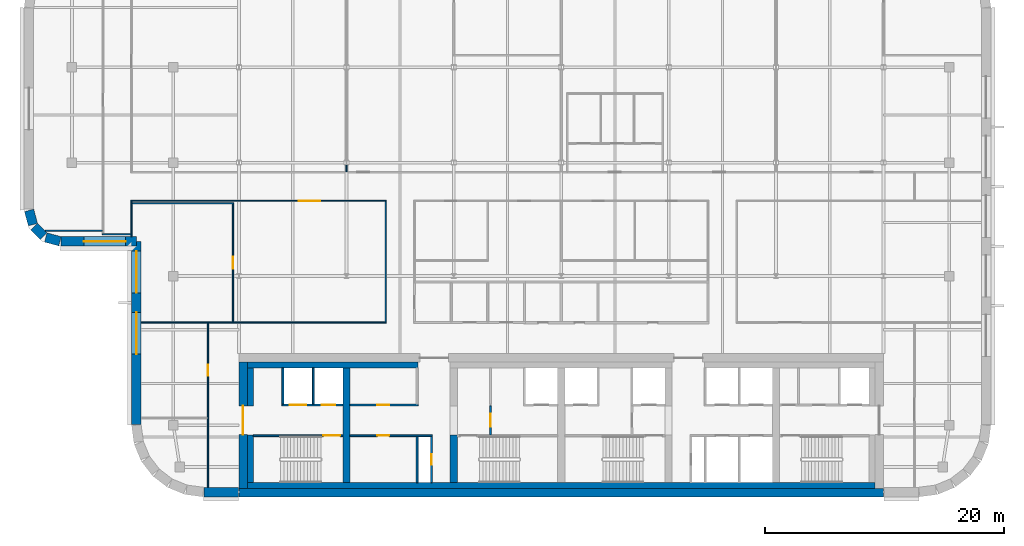
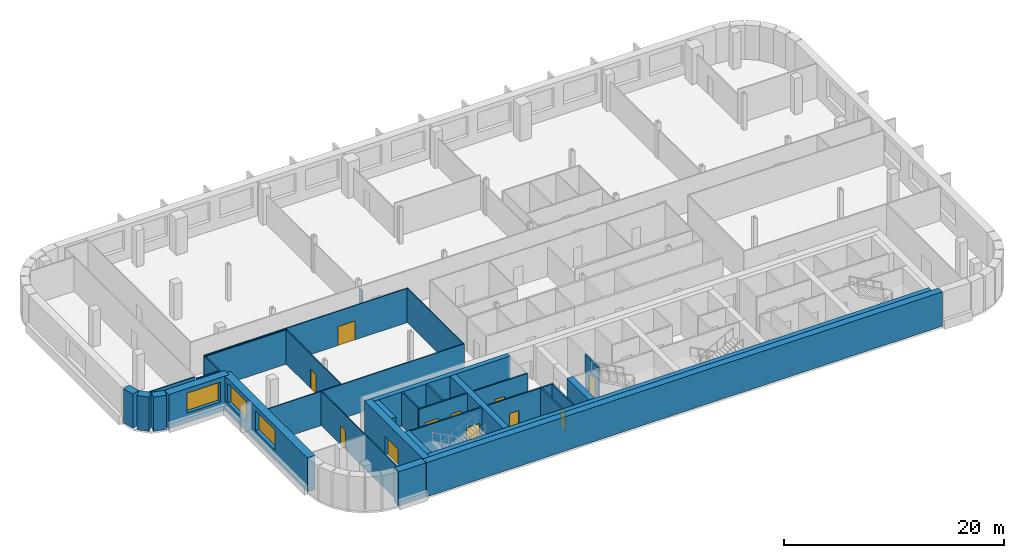
# One storey, part 7 of 16: 33 walls, 11 doors, 3 windows, 14 openings.
"""IFC4 building model written with IfcOpenShell, lengths in metres."""

from ifc_helpers import new_model, si_unit, direction, frame, frame_2d, origin, place, context, subcontext, project, spatial, rectangle, extrude, material, layer, layer_set, type_object, element, fill, save


model = new_model("IFC4")

# Units and contexts
model_context = context("Model", 3, precision=1e-05, world=origin(), true_north=direction((0.0, 1.0)))
body_context = subcontext(model_context, "Body", "Model", "MODEL_VIEW")
ifc_project = project(units=[si_unit("LENGTHUNIT", "METRE"), si_unit("AREAUNIT", "SQUARE_METRE"), si_unit("VOLUMEUNIT", "CUBIC_METRE"), si_unit("PLANEANGLEUNIT", "RADIAN"), si_unit("MASSUNIT", "GRAM", prefix="KILO")], contexts=[model_context])

# Site, building, storey
site_placement = place(None, origin())
site = spatial("IfcSite", under=ifc_project, at=site_placement, CompositionType="ELEMENT")
building_placement = place(site_placement, origin())
building = spatial("IfcBuilding", under=site, at=building_placement, Name="Zellij Exchange Tower", CompositionType="ELEMENT")
storey_placement = place(building_placement, frame((0.0, 0.0, 248.5)))
storey = spatial("IfcBuildingStorey", under=building, at=storey_placement, Name="L58", CompositionType="ELEMENT", Elevation=248.5)

# Walls
ifc_material_1 = material(Name="Concrete C50/60", Category="concrete")
ifc_layer_1 = layer(ifc_material_1, 0.60009765625)
ifc_layer_set_1 = layer_set([ifc_layer_1], Name="Concrete C50/60")
wall_type_1 = type_object("IfcWallType", Name="CORE-CW 600 C50/60", PredefinedType="SHEAR", material=ifc_layer_set_1)
wall_1_placement = place(storey_placement, frame((-18.0, -12.800048828125, 0.0), z_axis=(0.0, 0.0, 1.0), x_axis=(0.0, 1.0, 0.0)))
element("IfcWall", 1, at=wall_1_placement, inside=storey, type_object=wall_type_1, Name="Core cross wall x -18 L58", PredefinedType="SHEAR", context=body_context, shape_type="SweptSolid", body=[
    extrude(rectangle(XDim=9.60009765625, YDim=0.60009765625, at=frame_2d((4.800048828125, 0.0))), origin(), (0.0, 0.0, 1.0), 3.800048828125),
])
wall_2_placement = place(storey_placement, frame((-9.0, -12.800048828125, 0.0), z_axis=(0.0, 0.0, 1.0), x_axis=(0.0, 1.0, 0.0)))
element("IfcWall", 2, at=wall_2_placement, inside=storey, type_object=wall_type_1, Name="Core cross wall pier x -9 a L58", PredefinedType="SHEAR", context=body_context, shape_type="SweptSolid", body=[
    extrude(rectangle(XDim=4.0, YDim=0.60009765625, at=frame_2d((2.0, 0.0))), origin(), (0.0, 0.0, 1.0), 3.800048828125),
])
ifc_material_2 = material(Name="Concrete C30/37", Category="concrete")
ifc_layer_2 = layer(ifc_material_2, 0.5)
ifc_layer_set_2 = layer_set([ifc_layer_2], Name="Concrete C30/37")
wall_type_2 = type_object("IfcWallType", Name="CORE-LW 500 C30/37", PredefinedType="SHEAR", material=ifc_layer_set_2)
wall_3_placement = place(storey_placement, frame((-26.300048828125, -2.949951171875, 0.0), z_axis=(0.0, 0.0, 1.0), x_axis=(1.0, 0.0, 0.0)))
element("IfcWall", 3, at=wall_3_placement, inside=storey, type_object=wall_type_2, Name="Core wall lining front.0 L58", PredefinedType="SHEAR", context=body_context, shape_type="SweptSolid", body=[
    extrude(rectangle(XDim=14.300048828125, YDim=0.5, at=frame_2d((7.14990234375, 0.0))), origin(), (0.0, 0.0, 1.0), 3.800048828125),
])
wall_4_placement = place(storey_placement, frame((-26.300048828125, -13.050048828125, 0.0), z_axis=(0.0, 0.0, 1.0), x_axis=(1.0, 0.0, 0.0)))
element("IfcWall", 4, at=wall_4_placement, inside=storey, type_object=wall_type_2, Name="Core wall lining rear.0 L58", PredefinedType="SHEAR", context=body_context, shape_type="SweptSolid", body=[
    extrude(rectangle(XDim=52.60009765625, YDim=0.5, at=frame_2d((26.300048828125, 0.0))), origin(), (0.0, 0.0, 1.0), 3.800048828125),
])
wall_5_placement = place(storey_placement, frame((-26.050048828125, -12.800048828125, 0.0), z_axis=(0.0, 0.0, 1.0), x_axis=(0.0, 1.0, 0.0)))
element("IfcWall", 5, at=wall_5_placement, inside=storey, type_object=wall_type_2, Name="Core wall lining end w.0 L58", PredefinedType="SHEAR", context=body_context, shape_type="SweptSolid", body=[
    extrude(rectangle(XDim=4.0, YDim=0.5, at=frame_2d((2.0, 0.0))), origin(), (0.0, 0.0, 1.0), 3.800048828125),
])
wall_6_placement = place(storey_placement, frame((-26.050048828125, -6.375, 0.0), z_axis=(0.0, 0.0, 1.0), x_axis=(0.0, 1.0, 0.0)))
element("IfcWall", 6, at=wall_6_placement, inside=storey, type_object=wall_type_2, Name="Core wall lining end w.1 L58", PredefinedType="SHEAR", context=body_context, shape_type="SweptSolid", body=[
    extrude(rectangle(XDim=3.175048828125, YDim=0.5, at=frame_2d((1.58740234375, 0.0))), origin(), (0.0, 0.0, 1.0), 3.800048828125),
])

# Wall, opening, door
ifc_material_3 = material(Name="Gypsum shaft wall system")
ifc_layer_3 = layer(ifc_material_3, 0.14990234375)
ifc_layer_set_3 = layer_set([ifc_layer_3], Name="Gypsum shaft wall system")
wall_type_3 = type_object("IfcWallType", Name="CORE-PW 150 Firefighting lobby wall", PredefinedType="PARTITIONING", material=ifc_layer_set_3)
wall_7_placement = place(storey_placement, frame((-5.925048828125, -8.800048828125, 0.0), z_axis=(0.0, 0.0, 1.0), x_axis=(0.0, 1.0, 0.0)))
wall_7 = element("IfcWall", 7, at=wall_7_placement, inside=storey, type_object=wall_type_3, Name="Firefighting lobby wall L58", PredefinedType="PARTITIONING", context=body_context, shape_type="SweptSolid", body=[
    extrude(rectangle(XDim=2.425048828125, YDim=0.14990234375, at=frame_2d((1.21240234375, 0.0))), origin(), (0.0, 0.0, 1.0), 3.800048828125),
])
opening_1_placement = place(wall_7_placement, frame((0.662109375, 0.0, 0.0)))
opening_1 = element("IfcOpeningElement", 8, at=opening_1_placement, cuts=wall_7, Name="Opening CA-30.10", PredefinedType="OPENING", context=body_context, shape_type="SweptSolid", body=[
    extrude(rectangle(XDim=1.10009765625, YDim=2.10009765625, at=frame_2d((0.550048828125, 1.050048828125))), frame((0.0, 0.0869140625, 0.0), z_axis=(0.0, -1.0, 0.0), x_axis=(1.0, 0.0, 0.0)), (0.0, 0.0, 1.0), 0.173828125),
])
ifc_material_4 = material(Name="Hollow metal fire door")
door_type_1 = type_object("IfcDoorType", Name="CORE-D F Firefighting lobby door 1100x2100 1 HR", OperationType="NOTDEFINED", PredefinedType="DOOR", material=ifc_material_4)
door_1_placement = place(opening_1_placement, origin())
door_1 = element("IfcDoor", 9, at=door_1_placement, inside=storey, type_object=door_type_1, Name="Firefighting lobby door CA-30.10", OperationType="SINGLE_SWING_LEFT", OverallHeight=2.10009765625, OverallWidth=1.10009765625, PredefinedType="DOOR", context=body_context, shape_type="SweptSolid", body=[
    extrude(rectangle(XDim=1.10009765625, YDim=2.10009765625, at=frame_2d((0.550048828125, 1.050048828125))), frame((0.0, 0.02490234375, 0.0), z_axis=(0.0, -1.0, 0.0), x_axis=(1.0, 0.0, 0.0)), (0.0, 0.0, 1.0), 0.050048828125),
])
fill(opening_1, door_1)

ifc_material_5 = material(Name="Gypsum board partition")
ifc_layer_4 = layer(ifc_material_5, 0.14990234375)
ifc_layer_set_4 = layer_set([ifc_layer_4], Name="Gypsum board partition")
wall_type_4 = type_object("IfcWallType", Name="CORE-PW 150 Lift lobby wall", PredefinedType="PARTITIONING", material=ifc_layer_set_4)
wall_8_placement = place(storey_placement, frame((-10.875, -12.800048828125, 0.0), z_axis=(0.0, 0.0, 1.0), x_axis=(0.0, 1.0, 0.0)))
wall_8 = element("IfcWall", 10, at=wall_8_placement, inside=storey, type_object=wall_type_4, Name="Lift lobby wall L58", PredefinedType="PARTITIONING", context=body_context, shape_type="SweptSolid", body=[
    extrude(rectangle(XDim=3.85009765625, YDim=0.14990234375, at=frame_2d((1.925048828125, 0.0))), origin(), (0.0, 0.0, 1.0), 3.800048828125),
])
opening_2_placement = place(wall_8_placement, frame((1.47509765625, 0.0, 0.0)))
opening_2 = element("IfcOpeningElement", 11, at=opening_2_placement, cuts=wall_8, Name="Opening CA-30.07", PredefinedType="OPENING", context=body_context, shape_type="SweptSolid", body=[
    extrude(rectangle(XDim=0.89990234375, YDim=2.10009765625, at=frame_2d((0.449951171875, 1.050048828125))), frame((0.0, 0.0869140625, 0.0), z_axis=(0.0, -1.0, 0.0), x_axis=(1.0, 0.0, 0.0)), (0.0, 0.0, 1.0), 0.173828125),
])
door_type_2 = type_object("IfcDoorType", Name="CORE-D RD Riser door 900x2100 1.5 HR", OperationType="NOTDEFINED", PredefinedType="DOOR", material=ifc_material_4)
door_2_placement = place(opening_2_placement, origin())
door_2 = element("IfcDoor", 12, at=door_2_placement, inside=storey, type_object=door_type_2, Name="Riser door CA-30.07", OperationType="SINGLE_SWING_RIGHT", OverallHeight=2.10009765625, OverallWidth=0.89990234375, PredefinedType="DOOR", context=body_context, shape_type="SweptSolid", body=[
    extrude(rectangle(XDim=0.89990234375, YDim=2.10009765625, at=frame_2d((0.449951171875, 1.050048828125))), frame((0.0, 0.02490234375, 0.0), z_axis=(0.0, -1.0, 0.0), x_axis=(1.0, 0.0, 0.0)), (0.0, 0.0, 1.0), 0.050048828125),
])
fill(opening_2, door_2)

# Wall
wall_9_placement = place(storey_placement, frame((-12.074951171875, -12.800048828125, 0.0), z_axis=(0.0, 0.0, 1.0), x_axis=(0.0, 1.0, 0.0)))
element("IfcWall", 13, at=wall_9_placement, inside=storey, type_object=wall_type_4, Name="Lift lobby wall L58", PredefinedType="PARTITIONING", context=body_context, shape_type="SweptSolid", body=[
    extrude(rectangle(XDim=3.85009765625, YDim=0.14990234375, at=frame_2d((1.925048828125, 0.0))), origin(), (0.0, 0.0, 1.0), 3.800048828125),
])

# Wall, opening, door
wall_10_placement = place(storey_placement, frame((-17.699951171875, -6.300048828125, 0.0), z_axis=(0.0, 0.0, 1.0), x_axis=(1.0, 0.0, 0.0)))
wall_10 = element("IfcWall", 14, at=wall_10_placement, inside=storey, type_object=wall_type_4, Name="Lift lobby wall L58", PredefinedType="PARTITIONING", context=body_context, shape_type="SweptSolid", body=[
    extrude(rectangle(XDim=5.699951171875, YDim=0.14990234375, at=frame_2d((2.85009765625, 0.0))), origin(), (0.0, 0.0, 1.0), 3.800048828125),
])
opening_3_placement = place(wall_10_placement, frame((2.27490234375, 0.0, 0.0)))
opening_3 = element("IfcOpeningElement", 15, at=opening_3_placement, cuts=wall_10, Name="Opening CA-30.06", PredefinedType="OPENING", context=body_context, shape_type="SweptSolid", body=[
    extrude(rectangle(XDim=1.0, YDim=2.10009765625, at=frame_2d((0.5, 1.050048828125))), frame((0.0, 0.0869140625, 0.0), z_axis=(0.0, -1.0, 0.0), x_axis=(1.0, 0.0, 0.0)), (0.0, 0.0, 1.0), 0.173828125),
])
door_type_3 = type_object("IfcDoorType", Name="CORE-D CD Core room door 1000x2100 1 HR", OperationType="NOTDEFINED", PredefinedType="DOOR", material=ifc_material_4)
door_3_placement = place(opening_3_placement, origin())
door_3 = element("IfcDoor", 16, at=door_3_placement, inside=storey, type_object=door_type_3, Name="Core room door CA-30.06", OperationType="SINGLE_SWING_LEFT", OverallHeight=2.10009765625, OverallWidth=1.0, PredefinedType="DOOR", context=body_context, shape_type="SweptSolid", body=[
    extrude(rectangle(XDim=1.0, YDim=2.10009765625, at=frame_2d((0.5, 1.050048828125))), frame((0.0, 0.02490234375, 0.0), z_axis=(0.0, -1.0, 0.0), x_axis=(1.0, 0.0, 0.0)), (0.0, 0.0, 1.0), 0.050048828125),
])
fill(opening_3, door_3)

wall_11_placement = place(storey_placement, frame((-17.699951171875, -8.875, 0.0), z_axis=(0.0, 0.0, 1.0), x_axis=(1.0, 0.0, 0.0)))
wall_11 = element("IfcWall", 17, at=wall_11_placement, inside=storey, type_object=wall_type_4, Name="Lift lobby wall L58", PredefinedType="PARTITIONING", context=body_context, shape_type="SweptSolid", body=[
    extrude(rectangle(XDim=6.89990234375, YDim=0.14990234375, at=frame_2d((3.449951171875, 0.0))), origin(), (0.0, 0.0, 1.0), 3.800048828125),
])
opening_4_placement = place(wall_11_placement, frame((2.27490234375, 0.0, 0.0)))
opening_4 = element("IfcOpeningElement", 18, at=opening_4_placement, cuts=wall_11, Name="Opening CA-30.05", PredefinedType="OPENING", context=body_context, shape_type="SweptSolid", body=[
    extrude(rectangle(XDim=1.0, YDim=2.10009765625, at=frame_2d((0.5, 1.050048828125))), frame((0.0, 0.0869140625, 0.0), z_axis=(0.0, -1.0, 0.0), x_axis=(1.0, 0.0, 0.0)), (0.0, 0.0, 1.0), 0.173828125),
])
door_4_placement = place(opening_4_placement, origin())
door_4 = element("IfcDoor", 19, at=door_4_placement, inside=storey, type_object=door_type_3, Name="Core room door CA-30.05", OperationType="SINGLE_SWING_RIGHT", OverallHeight=2.10009765625, OverallWidth=1.0, PredefinedType="DOOR", context=body_context, shape_type="SweptSolid", body=[
    extrude(rectangle(XDim=1.0, YDim=2.10009765625, at=frame_2d((0.5, 1.050048828125))), frame((0.0, 0.02490234375, 0.0), z_axis=(0.0, -1.0, 0.0), x_axis=(1.0, 0.0, 0.0)), (0.0, 0.0, 1.0), 0.050048828125),
])
fill(opening_4, door_4)

# Walls
ifc_layer_5 = layer(ifc_material_3, 0.14990234375)
ifc_layer_set_5 = layer_set([ifc_layer_5], Name="Gypsum shaft wall system")
wall_type_5 = type_object("IfcWallType", Name="CORE-PW 150 Lift shaft wall", PredefinedType="PARTITIONING", material=ifc_layer_set_5)
for number, where, z_axis, x_axis, name in (
    (20, (-20.77490234375, -6.22509765625, 0.0), (0.0, 0.0, 1.0), (0.0, 1.0, 0.0), "Lift shaft wall L58"),
    (21, (-23.324951171875, -6.22509765625, 0.0), (0.0, 0.0, 1.0), (0.0, 1.0, 0.0), "Lift shaft wall L58"),
):
    element("IfcWall", number, at=place(storey_placement, frame(where, z_axis=z_axis, x_axis=x_axis)), inside=storey, type_object=wall_type_5, Name=name, PredefinedType="PARTITIONING", context=body_context, shape_type="SweptSolid", body=[
        extrude(rectangle(XDim=3.025146484375, YDim=0.14990234375, at=frame_2d((1.5126953125, 0.0))), origin(), (0.0, 0.0, 1.0), 3.800048828125),
    ])

# Wall, openings, doors
wall_12_placement = place(storey_placement, frame((-23.39990234375, -6.300048828125, 0.0), z_axis=(0.0, 0.0, 1.0), x_axis=(1.0, 0.0, 0.0)))
wall_12 = element("IfcWall", 22, at=wall_12_placement, inside=storey, type_object=wall_type_5, Name="Lift shaft wall L58", PredefinedType="PARTITIONING", context=body_context, shape_type="SweptSolid", body=[
    extrude(rectangle(XDim=5.099853515625, YDim=0.14990234375, at=frame_2d((2.5498046875, 0.0))), origin(), (0.0, 0.0, 1.0), 3.800048828125),
])
opening_5_placement = place(wall_12_placement, frame((0.64990234375, 0.0, 0.0)))
opening_5 = element("IfcOpeningElement", 23, at=opening_5_placement, cuts=wall_12, Name="Opening CA-30.02", PredefinedType="OPENING", context=body_context, shape_type="SweptSolid", body=[
    extrude(rectangle(XDim=1.39990234375, YDim=2.10009765625, at=frame_2d((0.699951171875, 1.050048828125))), frame((0.0, 0.0869140625, 0.0), z_axis=(0.0, -1.0, 0.0), x_axis=(1.0, 0.0, 0.0)), (0.0, 0.0, 1.0), 0.173828125),
])
opening_6_placement = place(wall_12_placement, frame((3.35009765625, 0.0, 0.0)))
opening_6 = element("IfcOpeningElement", 24, at=opening_6_placement, cuts=wall_12, Name="Opening CA-30.03", PredefinedType="OPENING", context=body_context, shape_type="SweptSolid", body=[
    extrude(rectangle(XDim=1.10009765625, YDim=2.10009765625, at=frame_2d((0.550048828125, 1.050048828125))), frame((0.0, 0.0869140625, 0.0), z_axis=(0.0, -1.0, 0.0), x_axis=(1.0, 0.0, 0.0)), (0.0, 0.0, 1.0), 0.173828125),
])
door_type_4 = type_object("IfcDoorType", Name="CORE-D LD Lift landing door 1100x2100 1.5 HR", OperationType="NOTDEFINED", PredefinedType="DOOR", material=ifc_material_4)
door_5_placement = place(opening_6_placement, origin())
door_5 = element("IfcDoor", 25, at=door_5_placement, inside=storey, type_object=door_type_4, Name="Lift landing door CA-30.03", OperationType="SLIDING_TO_LEFT", OverallHeight=2.10009765625, OverallWidth=1.10009765625, PredefinedType="DOOR", context=body_context, shape_type="SweptSolid", body=[
    extrude(rectangle(XDim=1.10009765625, YDim=2.10009765625, at=frame_2d((0.550048828125, 1.050048828125))), frame((0.0, 0.02490234375, 0.0), z_axis=(0.0, -1.0, 0.0), x_axis=(1.0, 0.0, 0.0)), (0.0, 0.0, 1.0), 0.050048828125),
])
fill(opening_6, door_5)
door_type_5 = type_object("IfcDoorType", Name="CORE-D LD2 Service lift landing door 1400x2100 1.5 HR", OperationType="NOTDEFINED", PredefinedType="DOOR", material=ifc_material_4)
door_6_placement = place(opening_5_placement, origin())
door_6 = element("IfcDoor", 26, at=door_6_placement, inside=storey, type_object=door_type_5, Name="Service lift landing door CA-30.02", OperationType="SLIDING_TO_RIGHT", OverallHeight=2.10009765625, OverallWidth=1.39990234375, PredefinedType="DOOR", context=body_context, shape_type="SweptSolid", body=[
    extrude(rectangle(XDim=1.39990234375, YDim=2.10009765625, at=frame_2d((0.699951171875, 1.050048828125))), frame((0.0, 0.02490234375, 0.0), z_axis=(0.0, -1.0, 0.0), x_axis=(1.0, 0.0, 0.0)), (0.0, 0.0, 1.0), 0.050048828125),
])
fill(opening_5, door_6)

# Wall
ifc_layer_6 = layer(ifc_material_1, 0.699951171875)
ifc_layer_set_6 = layer_set([ifc_layer_6], Name="Concrete C50/60")
wall_type_6 = type_object("IfcWallType", Name="CORE-SW 700 C50/60", PredefinedType="SHEAR", material=ifc_layer_set_6)
wall_13_placement = place(storey_placement, frame((-27.0, -13.64990234375, 0.0), z_axis=(0.0, 0.0, 1.0), x_axis=(1.0, 0.0, 0.0)))
element("IfcWall", 27, at=wall_13_placement, inside=storey, type_object=wall_type_6, Name="Core shear wall rear L58", PredefinedType="SHEAR", context=body_context, shape_type="SweptSolid", body=[
    extrude(rectangle(XDim=54.0, YDim=0.699951171875, at=frame_2d((27.0, 0.0))), origin(), (0.0, 0.0, 1.0), 3.800048828125),
])

# Wall, opening, door
wall_14_placement = place(storey_placement, frame((-26.64990234375, -13.300048828125, 0.0), z_axis=(0.0, 0.0, 1.0), x_axis=(0.0, 1.0, 0.0)))
wall_14 = element("IfcWall", 28, at=wall_14_placement, inside=storey, type_object=wall_type_6, Name="Core shear wall end w L58", PredefinedType="SHEAR", context=body_context, shape_type="SweptSolid", body=[
    extrude(rectangle(XDim=10.60009765625, YDim=0.699951171875, at=frame_2d((5.300048828125, 0.0))), origin(), (0.0, 0.0, 1.0), 3.800048828125),
])
opening_7_placement = place(wall_14_placement, frame((4.511962890625, 0.0, 0.0)))
opening_7 = element("IfcOpeningElement", 29, at=opening_7_placement, cuts=wall_14, Name="Opening CA-30.01", PredefinedType="OPENING", context=body_context, shape_type="SweptSolid", body=[
    extrude(rectangle(XDim=2.39990234375, YDim=2.10009765625, at=frame_2d((1.199951171875, 1.050048828125))), frame((0.0, 0.36181640625, 0.0), z_axis=(0.0, -1.0, 0.0), x_axis=(1.0, 0.0, 0.0)), (0.0, 0.0, 1.0), 0.723876953125),
])
door_type_6 = type_object("IfcDoorType", Name="CORE-D CE Core entrance door 2400x2100 20 MIN", OperationType="NOTDEFINED", PredefinedType="DOOR", material=ifc_material_4)
door_7_placement = place(opening_7_placement, origin())
door_7 = element("IfcDoor", 30, at=door_7_placement, inside=storey, type_object=door_type_6, Name="Core entrance door CA-30.01", OperationType="DOUBLE_DOOR_SINGLE_SWING", OverallHeight=2.10009765625, OverallWidth=2.39990234375, PredefinedType="DOOR", context=body_context, shape_type="SweptSolid", body=[
    extrude(rectangle(XDim=2.39990234375, YDim=2.10009765625, at=frame_2d((1.199951171875, 1.050048828125))), frame((0.0, 0.02490234375, 0.0), z_axis=(0.0, -1.0, 0.0), x_axis=(1.0, 0.0, 0.0)), (0.0, 0.0, 1.0), 0.050048828125),
])
fill(opening_7, door_7)

ifc_layer_7 = layer(ifc_material_1, 0.14990234375)
ifc_layer_set_7 = layer_set([ifc_layer_7], Name="Concrete C50/60")
wall_type_7 = type_object("IfcWallType", Name="CORE-SWS 150 C50/60", PredefinedType="SHEAR", material=ifc_layer_set_7)
wall_15_placement = place(storey_placement, frame((-25.800048828125, -8.875, 0.0), z_axis=(0.0, 0.0, 1.0), x_axis=(1.0, 0.0, 0.0)))
wall_15 = element("IfcWall", 31, at=wall_15_placement, inside=storey, type_object=wall_type_7, Name="Stair enclosure wall L58", PredefinedType="SHEAR", context=body_context, shape_type="SweptSolid", body=[
    extrude(rectangle(XDim=7.5, YDim=0.14990234375, at=frame_2d((3.75, 0.0))), origin(), (0.0, 0.0, 1.0), 3.800048828125),
])
opening_8_placement = place(wall_15_placement, frame((5.875, 0.0, 0.0)))
opening_8 = element("IfcOpeningElement", 32, at=opening_8_placement, cuts=wall_15, Name="Opening CA-30.04", PredefinedType="OPENING", context=body_context, shape_type="SweptSolid", body=[
    extrude(rectangle(XDim=1.39990234375, YDim=2.10009765625, at=frame_2d((0.699951171875, 1.050048828125))), frame((0.0, 0.0869140625, 0.0), z_axis=(0.0, -1.0, 0.0), x_axis=(1.0, 0.0, 0.0)), (0.0, 0.0, 1.0), 0.173828125),
])
door_type_7 = type_object("IfcDoorType", Name="CORE-D SD Stair door 1400x2100 1.5 HR", OperationType="NOTDEFINED", PredefinedType="DOOR", material=ifc_material_4)
door_8_placement = place(opening_8_placement, origin())
door_8 = element("IfcDoor", 33, at=door_8_placement, inside=storey, type_object=door_type_7, Name="Stair door CA-30.04", OperationType="DOUBLE_DOOR_SINGLE_SWING", OverallHeight=2.10009765625, OverallWidth=1.39990234375, PredefinedType="DOOR", context=body_context, shape_type="SweptSolid", body=[
    extrude(rectangle(XDim=1.39990234375, YDim=2.10009765625, at=frame_2d((0.699951171875, 1.050048828125))), frame((0.0, 0.02490234375, 0.0), z_axis=(0.0, -1.0, 0.0), x_axis=(1.0, 0.0, 0.0)), (0.0, 0.0, 1.0), 0.050048828125),
])
fill(opening_8, door_8)

# Walls
ifc_material_6 = material(Name="Precast concrete C40/50", Category="concrete")
ifc_layer_8 = layer(ifc_material_6, 0.800048828125)
ifc_layer_set_8 = layer_set([ifc_layer_8], Name="Precast concrete C40/50")
wall_type_8 = type_object("IfcWallType", Name="ENV-EW1 Precast stone-piered wall 800", PredefinedType="SOLIDWALL", material=ifc_layer_set_8)
wall_16_placement = place(storey_placement, frame((-29.947509765625, -13.60009765625, 0.0), z_axis=(0.0, 0.0, 1.0), x_axis=(1.0, 0.0, 0.0)))
element("IfcWall", 34, at=wall_16_placement, inside=storey, type_object=wall_type_8, Name="fac.L58.00a", PredefinedType="SOLIDWALL", context=body_context, shape_type="SweptSolid", body=[
    extrude(rectangle(XDim=2.8974609375, YDim=0.800048828125, at=frame_2d((1.44873046875, 0.0))), origin(), (0.0, 0.0, 1.0), 3.800048828125),
])
wall_17_placement = place(storey_placement, frame((-44.58642578125, 10.001708984375, 0.0), z_axis=(0.0, 0.0, 1.0), x_axis=(0.258943885187, -0.965892366842, 0.0)))
element("IfcWall", 35, at=wall_17_placement, inside=storey, type_object=wall_type_8, Name="fac.L58.22", PredefinedType="SOLIDWALL", context=body_context, shape_type="SweptSolid", body=[
    extrude(rectangle(XDim=1.233154296875, YDim=0.800048828125, at=frame_2d((0.61669921875, 0.0))), origin(), (0.0, 0.0, 1.0), 3.800048828125),
])
wall_18_placement = place(storey_placement, frame((-44.163818359375, 8.63134765625, 0.0), z_axis=(0.0, 0.0, 1.0), x_axis=(0.707106781187, -0.707106781187, 0.0)))
element("IfcWall", 36, at=wall_18_placement, inside=storey, type_object=wall_type_8, Name="fac.L58.23", PredefinedType="SOLIDWALL", context=body_context, shape_type="SweptSolid", body=[
    extrude(rectangle(XDim=1.12451171875, YDim=0.800048828125, at=frame_2d((0.562255859375, 0.0))), origin(), (0.0, 0.0, 1.0), 3.800048828125),
])
wall_19_placement = place(storey_placement, frame((-43.189453125, 7.73291015625, 0.0), z_axis=(0.0, 0.0, 1.0), x_axis=(0.965892366842, -0.258943885187, 0.0)))
element("IfcWall", 37, at=wall_19_placement, inside=storey, type_object=wall_type_8, Name="fac.L58.24", PredefinedType="SOLIDWALL", context=body_context, shape_type="SweptSolid", body=[
    extrude(rectangle(XDim=1.233154296875, YDim=0.800048828125, at=frame_2d((0.61669921875, 0.0))), origin(), (0.0, 0.0, 1.0), 3.800048828125),
])

# Wall, opening, window
wall_20_placement = place(storey_placement, frame((-41.89453125, 7.39990234375, 0.0), z_axis=(0.0, 0.0, 1.0), x_axis=(1.0, 0.0, 0.0)))
wall_20 = element("IfcWall", 38, at=wall_20_placement, inside=storey, type_object=wall_type_8, Name="fac.L58.25", PredefinedType="SOLIDWALL", context=body_context, shape_type="SweptSolid", body=[
    extrude(rectangle(XDim=6.29443359375, YDim=0.800048828125, at=frame_2d((3.147216796875, 0.0))), origin(), (0.0, 0.0, 1.0), 3.800048828125),
])
opening_9_placement = place(wall_20_placement, frame((1.89453125, 0.0, 1.10009765625)))
opening_9 = element("IfcOpeningElement", 39, at=opening_9_placement, cuts=wall_20, Name="Opening FZ4.21", PredefinedType="OPENING", context=body_context, shape_type="SweptSolid", body=[
    extrude(rectangle(XDim=3.5, YDim=2.199951171875, at=frame_2d((1.75, 1.10009765625))), frame((0.0, 0.412109375, 0.0), z_axis=(0.0, -1.0, 0.0), x_axis=(1.0, 0.0, 0.0)), (0.0, 0.0, 1.0), 0.823974609375),
])
ifc_material_7 = material(Name="Aluminium frame with insulating glass", Category="aluminium")
window_type = type_object("IfcWindowType", Name="ENV-W7 Window 3500x2200", PartitioningType="SINGLE_PANEL", PredefinedType="WINDOW", material=ifc_material_7)
window_1_placement = place(opening_9_placement, origin())
window_1 = element("IfcWindow", 40, at=window_1_placement, inside=storey, type_object=window_type, Name="Window FZ4.21", OverallHeight=2.199951171875, OverallWidth=3.5, PartitioningType="SINGLE_PANEL", PredefinedType="WINDOW", context=body_context, shape_type="SweptSolid", body=[
    extrude(rectangle(XDim=3.5, YDim=2.199951171875, at=frame_2d((1.75, 1.10009765625))), frame((0.0, 0.030029296875, 0.0), z_axis=(0.0, -1.0, 0.0), x_axis=(1.0, 0.0, 0.0)), (0.0, 0.0, 1.0), 0.06005859375),
])
fill(opening_9, window_1)

# Wall, openings, windows
wall_21_placement = place(storey_placement, frame((-35.60009765625, 7.39990234375, 0.0), z_axis=(0.0, 0.0, 1.0), x_axis=(0.0, -1.0, 0.0)))
wall_21 = element("IfcWall", 41, at=wall_21_placement, inside=storey, type_object=wall_type_8, Name="fac.L58.26", PredefinedType="SOLIDWALL", context=body_context, shape_type="SweptSolid", body=[
    extrude(rectangle(XDim=15.347412109375, YDim=0.800048828125, at=frame_2d((7.673828125, 0.0))), origin(), (0.0, 0.0, 1.0), 3.800048828125),
])
opening_10_placement = place(wall_21_placement, frame((0.812255859375, 0.0, 1.10009765625)))
opening_10 = element("IfcOpeningElement", 42, at=opening_10_placement, cuts=wall_21, Name="Opening FZ4.22", PredefinedType="OPENING", context=body_context, shape_type="SweptSolid", body=[
    extrude(rectangle(XDim=3.5, YDim=2.199951171875, at=frame_2d((1.75, 1.10009765625))), frame((0.0, 0.412109375, 0.0), z_axis=(0.0, -1.0, 0.0), x_axis=(1.0, 0.0, 0.0)), (0.0, 0.0, 1.0), 0.823974609375),
])
opening_11_placement = place(wall_21_placement, frame((5.93701171875, 0.0, 1.10009765625)))
opening_11 = element("IfcOpeningElement", 43, at=opening_11_placement, cuts=wall_21, Name="Opening FZ4.23", PredefinedType="OPENING", context=body_context, shape_type="SweptSolid", body=[
    extrude(rectangle(XDim=3.5, YDim=2.199951171875, at=frame_2d((1.75, 1.10009765625))), frame((0.0, 0.412109375, 0.0), z_axis=(0.0, -1.0, 0.0), x_axis=(1.0, 0.0, 0.0)), (0.0, 0.0, 1.0), 0.823974609375),
])
window_2_placement = place(opening_10_placement, origin())
window_2 = element("IfcWindow", 44, at=window_2_placement, inside=storey, type_object=window_type, Name="Window FZ4.22", OverallHeight=2.199951171875, OverallWidth=3.5, PartitioningType="SINGLE_PANEL", PredefinedType="WINDOW", context=body_context, shape_type="SweptSolid", body=[
    extrude(rectangle(XDim=3.5, YDim=2.199951171875, at=frame_2d((1.75, 1.10009765625))), frame((0.0, 0.030029296875, 0.0), z_axis=(0.0, -1.0, 0.0), x_axis=(1.0, 0.0, 0.0)), (0.0, 0.0, 1.0), 0.06005859375),
])
fill(opening_10, window_2)
window_3_placement = place(opening_11_placement, origin())
window_3 = element("IfcWindow", 45, at=window_3_placement, inside=storey, type_object=window_type, Name="Window FZ4.23", OverallHeight=2.199951171875, OverallWidth=3.5, PartitioningType="SINGLE_PANEL", PredefinedType="WINDOW", context=body_context, shape_type="SweptSolid", body=[
    extrude(rectangle(XDim=3.5, YDim=2.199951171875, at=frame_2d((1.75, 1.10009765625))), frame((0.0, 0.030029296875, 0.0), z_axis=(0.0, -1.0, 0.0), x_axis=(1.0, 0.0, 0.0)), (0.0, 0.0, 1.0), 0.06005859375),
])
fill(opening_11, window_3)

# Wall, opening, door
ifc_material_8 = material(Name="Gypsum board partition on steel studs", Category="steel")
ifc_layer_9 = layer(ifc_material_8, 0.10009765625)
ifc_layer_set_9 = layer_set([ifc_layer_9], Name="Gypsum board partition on steel studs")
wall_type_9 = type_object("IfcWallType", Name="FIT-PARTITION-100", PredefinedType="PARTITIONING", material=ifc_layer_set_9)
wall_22_placement = place(storey_placement, frame((-29.60009765625, -13.199951171875, 0.0), z_axis=(0.0, 0.0, 1.0), x_axis=(0.0, 1.0, 0.0)))
wall_22 = element("IfcWall", 46, at=wall_22_placement, inside=storey, type_object=wall_type_9, Name="FIT-PARTITION-100 001", PredefinedType="PARTITIONING", context=body_context, shape_type="SweptSolid", body=[
    extrude(rectangle(XDim=13.75, YDim=0.10009765625, at=frame_2d((6.875, 0.0))), origin(), (0.0, 0.0, 1.0), 3.800048828125),
])
opening_12_placement = place(wall_22_placement, frame((9.35009765625, 0.0, 0.0)))
opening_12 = element("IfcOpeningElement", 47, at=opening_12_placement, cuts=wall_22, Name="Opening O4D.02", PredefinedType="OPENING", context=body_context, shape_type="SweptSolid", body=[
    extrude(rectangle(XDim=0.89990234375, YDim=2.10009765625, at=frame_2d((0.449951171875, 1.050048828125))), frame((0.0, 0.06201171875, 0.0), z_axis=(0.0, -1.0, 0.0), x_axis=(1.0, 0.0, 0.0)), (0.0, 0.0, 1.0), 0.1240234375),
])
ifc_material_9 = material(Name="Timber door set", Category="wood")
door_type_8 = type_object("IfcDoorType", Name="FIT-D1-ROOM-900X2100", OperationType="SINGLE_SWING_LEFT", PredefinedType="DOOR", material=ifc_material_9)
door_9_placement = place(opening_12_placement, origin())
door_9 = element("IfcDoor", 48, at=door_9_placement, inside=storey, type_object=door_type_8, Name="Door O4D.02", OperationType="SINGLE_SWING_RIGHT", OverallHeight=2.10009765625, OverallWidth=0.89990234375, PredefinedType="DOOR", context=body_context, shape_type="SweptSolid", body=[
    extrude(rectangle(XDim=0.89990234375, YDim=2.10009765625, at=frame_2d((0.449951171875, 1.050048828125))), frame((0.0, 0.02490234375, 0.0), z_axis=(0.0, -1.0, 0.0), x_axis=(1.0, 0.0, 0.0)), (0.0, 0.0, 1.0), 0.050048828125),
])
fill(opening_12, door_9)

# Wall
wall_23_placement = place(storey_placement, frame((-35.199951171875, 0.60009765625, 0.0), z_axis=(0.0, 0.0, 1.0), x_axis=(1.0, 0.0, 0.0)))
element("IfcWall", 49, at=wall_23_placement, inside=storey, type_object=wall_type_9, Name="FIT-PARTITION-100 004", PredefinedType="PARTITIONING", context=body_context, shape_type="SweptSolid", body=[
    extrude(rectangle(XDim=20.550048828125, YDim=0.10009765625, at=frame_2d((10.27490234375, 0.0))), origin(), (0.0, 0.0, 1.0), 3.800048828125),
])

# Wall, opening, door
wall_24_placement = place(storey_placement, frame((-27.5, 0.64990234375, 0.0), z_axis=(0.0, 0.0, 1.0), x_axis=(0.0, 1.0, 0.0)))
wall_24 = element("IfcWall", 50, at=wall_24_placement, inside=storey, type_object=wall_type_9, Name="FIT-PARTITION-100 005", PredefinedType="PARTITIONING", context=body_context, shape_type="SweptSolid", body=[
    extrude(rectangle(XDim=9.900146484375, YDim=0.10009765625, at=frame_2d((4.9501953125, 0.0))), origin(), (0.0, 0.0, 1.0), 3.800048828125),
])
opening_13_placement = place(wall_24_placement, frame((4.449951171875, 0.0, 0.0)))
opening_13 = element("IfcOpeningElement", 51, at=opening_13_placement, cuts=wall_24, Name="Opening O4D.10", PredefinedType="OPENING", context=body_context, shape_type="SweptSolid", body=[
    extrude(rectangle(XDim=1.0, YDim=2.10009765625, at=frame_2d((0.5, 1.050048828125))), frame((0.0, 0.06201171875, 0.0), z_axis=(0.0, -1.0, 0.0), x_axis=(1.0, 0.0, 0.0)), (0.0, 0.0, 1.0), 0.1240234375),
])
door_type_9 = type_object("IfcDoorType", Name="FIT-D2-WIDE-1000X2100", OperationType="SINGLE_SWING_LEFT", PredefinedType="DOOR", material=ifc_material_9)
door_10_placement = place(opening_13_placement, origin())
door_10 = element("IfcDoor", 52, at=door_10_placement, inside=storey, type_object=door_type_9, Name="Door O4D.10", OperationType="SINGLE_SWING_RIGHT", OverallHeight=2.10009765625, OverallWidth=1.0, PredefinedType="DOOR", context=body_context, shape_type="SweptSolid", body=[
    extrude(rectangle(XDim=1.0, YDim=2.10009765625, at=frame_2d((0.5, 1.050048828125))), frame((0.0, 0.02490234375, 0.0), z_axis=(0.0, -1.0, 0.0), x_axis=(1.0, 0.0, 0.0)), (0.0, 0.0, 1.0), 0.050048828125),
])
fill(opening_13, door_10)

# Walls
wall_25_placement = place(storey_placement, frame((-14.699951171875, 0.64990234375, 0.0), z_axis=(0.0, 0.0, 1.0), x_axis=(0.0, 1.0, 0.0)))
element("IfcWall", 53, at=wall_25_placement, inside=storey, type_object=wall_type_9, Name="FIT-PARTITION-100 006", PredefinedType="PARTITIONING", context=body_context, shape_type="SweptSolid", body=[
    extrude(rectangle(XDim=10.10009765625, YDim=0.10009765625, at=frame_2d((5.050048828125, 0.0))), origin(), (0.0, 0.0, 1.0), 3.800048828125),
])
wall_26_placement = place(storey_placement, frame((-36.0, 7.800048828125, 0.0), z_axis=(0.0, 0.0, 1.0), x_axis=(0.0, 1.0, 0.0)))
element("IfcWall", 54, at=wall_26_placement, inside=storey, type_object=wall_type_9, Name="FIT-PARTITION-100 027", PredefinedType="PARTITIONING", context=body_context, shape_type="SweptSolid", body=[
    extrude(rectangle(XDim=2.949951171875, YDim=0.10009765625, at=frame_2d((1.47509765625, 0.0))), origin(), (0.0, 0.0, 1.0), 3.800048828125),
])
wall_27_placement = place(storey_placement, frame((-38.449951171875, 8.0, 0.0), z_axis=(0.0, 0.0, 1.0), x_axis=(1.0, 0.0, 0.0)))
element("IfcWall", 55, at=wall_27_placement, inside=storey, type_object=wall_type_9, Name="FIT-PARTITION-100 028", PredefinedType="PARTITIONING", context=body_context, shape_type="SweptSolid", body=[
    extrude(rectangle(XDim=2.39990234375, YDim=0.10009765625, at=frame_2d((1.199951171875, 0.0))), origin(), (0.0, 0.0, 1.0), 3.800048828125),
])
wall_28_placement = place(storey_placement, frame((-43.22998046875, 8.300048828125, 0.0), z_axis=(0.0, 0.0, 1.0), x_axis=(1.0, 0.0, 0.0)))
element("IfcWall", 56, at=wall_28_placement, inside=storey, type_object=wall_type_9, Name="FIT-PARTITION-100 030", PredefinedType="PARTITIONING", context=body_context, shape_type="SweptSolid", body=[
    extrude(rectangle(XDim=4.780029296875, YDim=0.10009765625, at=frame_2d((2.39013671875, 0.0))), origin(), (0.0, 0.0, 1.0), 3.800048828125),
])
wall_29_placement = place(storey_placement, frame((-35.949951171875, 10.60009765625, 0.0), z_axis=(0.0, 0.0, 1.0), x_axis=(1.0, 0.0, 0.0)))
element("IfcWall", 57, at=wall_29_placement, inside=storey, type_object=wall_type_9, Name="FIT-PARTITION-100 031", PredefinedType="PARTITIONING", context=body_context, shape_type="SweptSolid", body=[
    extrude(rectangle(XDim=8.5, YDim=0.10009765625, at=frame_2d((4.25, 0.0))), origin(), (0.0, 0.0, 1.0), 3.800048828125),
])

# Wall, opening, door
wall_30_placement = place(storey_placement, frame((-36.050048828125, 10.800048828125, 0.0), z_axis=(0.0, 0.0, 1.0), x_axis=(1.0, 0.0, 0.0)))
wall_30 = element("IfcWall", 58, at=wall_30_placement, inside=storey, type_object=wall_type_9, Name="FIT-PARTITION-100 032", PredefinedType="PARTITIONING", context=body_context, shape_type="SweptSolid", body=[
    extrude(rectangle(XDim=21.400146484375, YDim=0.10009765625, at=frame_2d((10.7001953125, 0.0))), origin(), (0.0, 0.0, 1.0), 3.800048828125),
])
opening_14_placement = place(wall_30_placement, frame((14.050048828125, 0.0, 0.0)))
opening_14 = element("IfcOpeningElement", 59, at=opening_14_placement, cuts=wall_30, Name="Opening O4D.11", PredefinedType="OPENING", context=body_context, shape_type="SweptSolid", body=[
    extrude(rectangle(XDim=1.800048828125, YDim=2.10009765625, at=frame_2d((0.89990234375, 1.050048828125))), frame((0.0, 0.06201171875, 0.0), z_axis=(0.0, -1.0, 0.0), x_axis=(1.0, 0.0, 0.0)), (0.0, 0.0, 1.0), 0.1240234375),
])
door_type_10 = type_object("IfcDoorType", Name="FIT-D3-DOUBLE-1800X2100", OperationType="DOUBLE_DOOR_SINGLE_SWING", PredefinedType="DOOR", material=ifc_material_9)
door_11_placement = place(opening_14_placement, origin())
door_11 = element("IfcDoor", 60, at=door_11_placement, inside=storey, type_object=door_type_10, Name="Door O4D.11", OperationType="DOUBLE_DOOR_SINGLE_SWING", OverallHeight=2.10009765625, OverallWidth=1.800048828125, PredefinedType="DOOR", context=body_context, shape_type="SweptSolid", body=[
    extrude(rectangle(XDim=1.800048828125, YDim=2.10009765625, at=frame_2d((0.89990234375, 1.050048828125))), frame((0.0, 0.02490234375, 0.0), z_axis=(0.0, -1.0, 0.0), x_axis=(1.0, 0.0, 0.0)), (0.0, 0.0, 1.0), 0.050048828125),
])
fill(opening_14, door_11)

# Wall
wall_31_placement = place(storey_placement, frame((-18.0, 13.25, 0.0), z_axis=(0.0, 0.0, 1.0), x_axis=(0.0, 1.0, 0.0)))
element("IfcWall", 61, at=wall_31_placement, inside=storey, type_object=wall_type_9, Name="FIT-PARTITION-100 038", PredefinedType="PARTITIONING", context=body_context, shape_type="SweptSolid", body=[
    extrude(rectangle(XDim=0.556884765625, YDim=0.10009765625, at=frame_2d((0.2783203125, 0.0))), origin(), (0.0, 0.0, 1.0), 3.19287109375),
])

save(model, "model.ifc")
